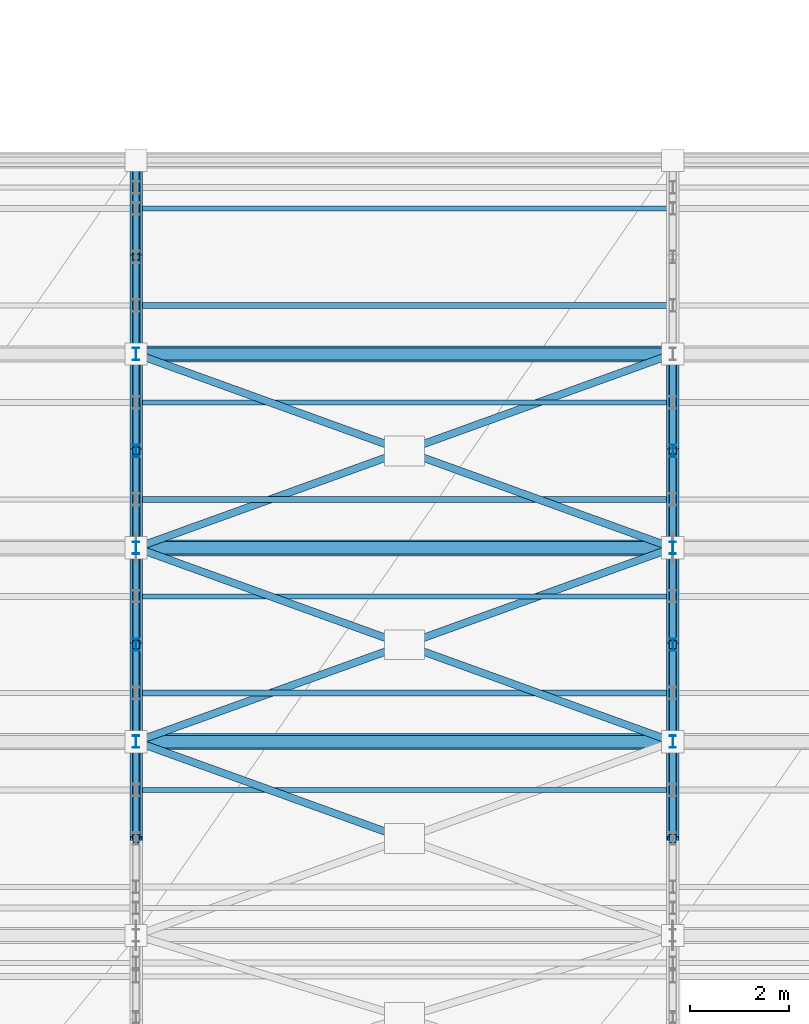
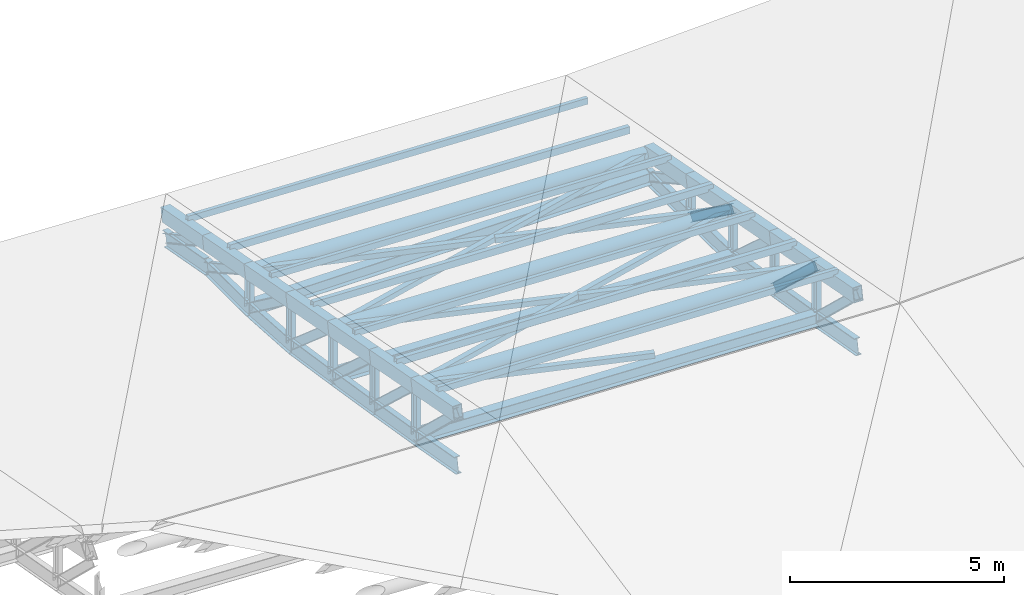
# One storey, part 22 of 89: 41 members, 24 beams.
"""IFC4 building model written with IfcOpenShell, lengths in metres."""

from ifc_helpers import new_model, si_unit, direction, frame, origin, origin_2d, place, context, subcontext, project, spatial, hollow_rectangle, hollow_circle, i_section, extrude, material, material_profile, profile_set, type_object, element, save


model = new_model("IFC4")

# Units and contexts
model_context = context("Model", 3, precision=1e-05, world=origin(), true_north=direction((0.0, 1.0)))
body_context = subcontext(model_context, "Body", "Model", "MODEL_VIEW")
ifc_project = project(units=[si_unit("LENGTHUNIT", "METRE"), si_unit("AREAUNIT", "SQUARE_METRE"), si_unit("VOLUMEUNIT", "CUBIC_METRE"), si_unit("PLANEANGLEUNIT", "RADIAN"), si_unit("MASSUNIT", "GRAM", prefix="KILO")], contexts=[model_context])

# Site, building, storey
site_placement = place(None, origin())
site = spatial("IfcSite", under=ifc_project, at=site_placement, CompositionType="ELEMENT")
building_placement = place(site_placement, origin())
building = spatial("IfcBuilding", under=site, at=building_placement, Name="Suirenkawa Promenade Aquatics Centre", CompositionType="ELEMENT")
storey_placement = place(building_placement, frame((0.0, 0.0, 9.60009765625)))
storey = spatial("IfcBuildingStorey", under=building, at=storey_placement, Name="L02", CompositionType="ELEMENT", Elevation=9.60009765625)

# Beams
ifc_material = material(Name="Steel IS 2062 E350 (Grade 350)", Category="steel")
ifc_material_profile_1 = material_profile(ifc_material, i_section(OverallWidth=0.14990234375, OverallDepth=0.449951171875, WebThickness=0.009033203125, FlangeThickness=0.01708984375, at=origin_2d()), Name="ISMB 450", Category="steel")
ifc_profile_set_1 = profile_set([ifc_material_profile_1], Name="Steel IS 2062 E350 (Grade 350)")
beam_type_1 = type_object("IfcBeamType", Name="BT-STL-ISMB450", PredefinedType="BEAM", material=ifc_profile_set_1)
beam_1_placement = place(storey_placement, frame((100.800048828125, 15.14990234375, -0.3271484375), z_axis=(0.0, 0.984093844307, -0.177649389521), x_axis=(-1.0, 0.0, 0.0)))
element("IfcBeam", 1, at=beam_1_placement, inside=storey, type_object=beam_type_1, Name="ROOF TRUSS V3 bottom chord BM-08 BM-2658", PredefinedType="BEAM", context=body_context, shape_type="SweptSolid", body=[
    extrude(i_section(OverallWidth=0.14990234375, OverallDepth=0.449951171875, WebThickness=0.009033203125, FlangeThickness=0.01708984375, at=origin_2d()), origin(), (0.0, 0.0, 1.0), 1.981689453125),
])
beam_2_placement = place(storey_placement, frame((100.800048828125, 17.10009765625, -0.67919921875), z_axis=(0.0, 0.985994005702, -0.166780756442), x_axis=(-1.0, 0.0, 0.0)))
element("IfcBeam", 2, at=beam_2_placement, inside=storey, type_object=beam_type_1, Name="ROOF TRUSS V3 bottom chord BM-08 BM-2660", PredefinedType="BEAM", context=body_context, shape_type="SweptSolid", body=[
    extrude(i_section(OverallWidth=0.14990234375, OverallDepth=0.449951171875, WebThickness=0.009033203125, FlangeThickness=0.01708984375, at=origin_2d()), origin(), (0.0, 0.0, 1.0), 1.9775390625),
])
beam_3_placement = place(storey_placement, frame((100.800048828125, 19.050048828125, -1.009033203125), z_axis=(0.0, 0.98728433575, -0.158964273917), x_axis=(-1.0, 0.0, 0.0)))
element("IfcBeam", 3, at=beam_3_placement, inside=storey, type_object=beam_type_1, Name="ROOF TRUSS V3 bottom chord BM-08 BM-2662", PredefinedType="BEAM", context=body_context, shape_type="SweptSolid", body=[
    extrude(i_section(OverallWidth=0.14990234375, OverallDepth=0.449951171875, WebThickness=0.009033203125, FlangeThickness=0.01708984375, at=origin_2d()), origin(), (0.0, 0.0, 1.0), 1.97509765625),
])
beam_4_placement = place(storey_placement, frame((100.800048828125, 21.0, -1.322998046875), z_axis=(0.0, 0.988441697341, -0.151601487322), x_axis=(-1.0, 0.0, 0.0)))
element("IfcBeam", 4, at=beam_4_placement, inside=storey, type_object=beam_type_1, Name="ROOF TRUSS V3 bottom chord BM-08 BM-2664", PredefinedType="BEAM", context=body_context, shape_type="SweptSolid", body=[
    extrude(i_section(OverallWidth=0.14990234375, OverallDepth=0.449951171875, WebThickness=0.009033203125, FlangeThickness=0.01708984375, at=origin_2d()), origin(), (0.0, 0.0, 1.0), 1.97265625),
])
beam_5_placement = place(storey_placement, frame((100.800048828125, 22.949951171875, -1.6220703125), z_axis=(0.0, 0.997854808878, -0.065465872024), x_axis=(-1.0, 0.0, 0.0)))
element("IfcBeam", 5, at=beam_5_placement, inside=storey, type_object=beam_type_1, Name="ROOF TRUSS V3 bottom chord BM-08 BM-2666", PredefinedType="BEAM", context=body_context, shape_type="SweptSolid", body=[
    extrude(i_section(OverallWidth=0.14990234375, OverallDepth=0.449951171875, WebThickness=0.009033203125, FlangeThickness=0.01708984375, at=origin_2d()), origin(), (0.0, 0.0, 1.0), 1.9541015625),
])
beam_6_placement = place(storey_placement, frame((100.800048828125, 24.89990234375, -1.75), z_axis=(0.0, 1.0, 0.0), x_axis=(-1.0, 0.0, 0.0)))
element("IfcBeam", 6, at=beam_6_placement, inside=storey, type_object=beam_type_1, Name="ROOF TRUSS V3 bottom chord BM-08 BM-2668", PredefinedType="BEAM", context=body_context, shape_type="SweptSolid", body=[
    extrude(i_section(OverallWidth=0.14990234375, OverallDepth=0.449951171875, WebThickness=0.009033203125, FlangeThickness=0.01708984375, at=origin_2d()), origin(), (0.0, 0.0, 1.0), 1.9501953125),
])
beam_7_placement = place(storey_placement, frame((100.800048828125, 26.85009765625, -1.75), z_axis=(0.0, 0.983371695523, -0.18160426329), x_axis=(-1.0, 0.0, 0.0)))
element("IfcBeam", 7, at=beam_7_placement, inside=storey, type_object=beam_type_1, Name="ROOF TRUSS V3 bottom chord BM-08 BM-2670", PredefinedType="BEAM", context=body_context, shape_type="SweptSolid", body=[
    extrude(i_section(OverallWidth=0.14990234375, OverallDepth=0.449951171875, WebThickness=0.009033203125, FlangeThickness=0.01708984375, at=origin_2d()), origin(), (0.0, 0.0, 1.0), 1.98291015625),
])
beam_8_placement = place(storey_placement, frame((111.60009765625, 15.14990234375, -0.72705078125), z_axis=(0.0, 0.984179886777, -0.177172092787), x_axis=(-1.0, 0.0, 0.0)))
element("IfcBeam", 8, at=beam_8_placement, inside=storey, type_object=beam_type_1, Name="ROOF TRUSS V3 bottom chord BM-08 BM-2690", PredefinedType="BEAM", context=body_context, shape_type="SweptSolid", body=[
    extrude(i_section(OverallWidth=0.14990234375, OverallDepth=0.449951171875, WebThickness=0.009033203125, FlangeThickness=0.01708984375, at=origin_2d()), origin(), (0.0, 0.0, 1.0), 1.9814453125),
])
beam_9_placement = place(storey_placement, frame((111.60009765625, 17.10009765625, -1.078125), z_axis=(0.0, 0.98589233015, -0.167380743669), x_axis=(-1.0, 0.0, 0.0)))
element("IfcBeam", 9, at=beam_9_placement, inside=storey, type_object=beam_type_1, Name="ROOF TRUSS V3 bottom chord BM-08 BM-2692", PredefinedType="BEAM", context=body_context, shape_type="SweptSolid", body=[
    extrude(i_section(OverallWidth=0.14990234375, OverallDepth=0.449951171875, WebThickness=0.009033203125, FlangeThickness=0.01708984375, at=origin_2d()), origin(), (0.0, 0.0, 1.0), 1.977783203125),
])
beam_10_placement = place(storey_placement, frame((111.60009765625, 19.050048828125, -1.4091796875), z_axis=(0.0, 0.98728433575, -0.158964273917), x_axis=(-1.0, 0.0, 0.0)))
element("IfcBeam", 10, at=beam_10_placement, inside=storey, type_object=beam_type_1, Name="ROOF TRUSS V3 bottom chord BM-08 BM-2694", PredefinedType="BEAM", context=body_context, shape_type="SweptSolid", body=[
    extrude(i_section(OverallWidth=0.14990234375, OverallDepth=0.449951171875, WebThickness=0.009033203125, FlangeThickness=0.01708984375, at=origin_2d()), origin(), (0.0, 0.0, 1.0), 1.97509765625),
])
for number, where, z_axis, x_axis, name in (
    (11, (111.60009765625, 21.0, -1.72314453125), (0.0, 0.999905174263, -0.013771074142), (-1.0, 0.0, 0.0), "ROOF TRUSS V3 bottom chord BM-08 BM-2696"),
    (12, (111.60009765625, 22.949951171875, -1.75), (0.0, 0.999935100233, -0.011392775025), (-1.0, 0.0, 0.0), "ROOF TRUSS V3 bottom chord BM-08 BM-2698"),
):
    element("IfcBeam", number, at=place(storey_placement, frame(where, z_axis=z_axis, x_axis=x_axis)), inside=storey, type_object=beam_type_1, Name=name, PredefinedType="BEAM", context=body_context, shape_type="SweptSolid", body=[
        extrude(i_section(OverallWidth=0.14990234375, OverallDepth=0.449951171875, WebThickness=0.009033203125, FlangeThickness=0.01708984375, at=origin_2d()), origin(), (0.0, 0.0, 1.0), 1.9501953125),
    ])
ifc_material_profile_2 = material_profile(ifc_material, hollow_rectangle(XDim=0.25, YDim=0.39990234375, WallThickness=0.01611328125, at=origin_2d()), Name="RHS 400x250x16", Category="steel")
ifc_profile_set_2 = profile_set([ifc_material_profile_2], Name="Steel IS 2062 E350 (Grade 350)")
beam_type_2 = type_object("IfcBeamType", Name="BT-TC-RHS400", PredefinedType="BEAM", material=ifc_profile_set_2)
beam_11_placement = place(storey_placement, frame((100.800048828125, 15.14990234375, 1.1708984375), z_axis=(0.0, 0.982575710299, -0.185862781455), x_axis=(-1.0, 0.0, 0.0)))
element("IfcBeam", 13, at=beam_11_placement, inside=storey, type_object=beam_type_2, Name="ROOF TRUSS V3 top chord TC-03 BM-2657", PredefinedType="BEAM", context=body_context, shape_type="SweptSolid", body=[
    extrude(hollow_rectangle(XDim=0.25, YDim=0.39990234375, WallThickness=0.01611328125, at=origin_2d()), origin(), (0.0, 0.0, 1.0), 1.98486328125),
])
beam_12_placement = place(storey_placement, frame((100.800048828125, 17.10009765625, 0.802001953125), z_axis=(0.0, 0.982638808178, -0.185528899804), x_axis=(-1.0, 0.0, 0.0)))
element("IfcBeam", 14, at=beam_12_placement, inside=storey, type_object=beam_type_2, Name="ROOF TRUSS V3 top chord TC-03 BM-2659", PredefinedType="BEAM", context=body_context, shape_type="SweptSolid", body=[
    extrude(hollow_rectangle(XDim=0.25, YDim=0.39990234375, WallThickness=0.01611328125, at=origin_2d()), origin(), (0.0, 0.0, 1.0), 1.984375),
])
for number, where, z_axis, x_axis, name in (
    (15, (100.800048828125, 19.050048828125, 0.433837890625), (0.0, 0.982571460273, -0.185885248087), (-1.0, 0.0, 0.0), "ROOF TRUSS V3 top chord TC-03 BM-2661"),
    (16, (100.800048828125, 21.0, 0.06494140625), (0.0, 0.98254898431, -0.186004014558), (-1.0, 0.0, 0.0), "ROOF TRUSS V3 top chord TC-03 BM-2663"),
):
    element("IfcBeam", number, at=place(storey_placement, frame(where, z_axis=z_axis, x_axis=x_axis)), inside=storey, type_object=beam_type_2, Name=name, PredefinedType="BEAM", context=body_context, shape_type="SweptSolid", body=[
        extrude(hollow_rectangle(XDim=0.25, YDim=0.39990234375, WallThickness=0.01611328125, at=origin_2d()), origin(), (0.0, 0.0, 1.0), 1.984619140625),
    ])
beam_13_placement = place(storey_placement, frame((100.800048828125, 22.949951171875, -0.30419921875), z_axis=(0.0, 0.982661230808, -0.185410100767), x_axis=(-1.0, 0.0, 0.0)))
element("IfcBeam", 17, at=beam_13_placement, inside=storey, type_object=beam_type_2, Name="ROOF TRUSS V3 top chord TC-03 BM-2665", PredefinedType="BEAM", context=body_context, shape_type="SweptSolid", body=[
    extrude(hollow_rectangle(XDim=0.25, YDim=0.39990234375, WallThickness=0.01611328125, at=origin_2d()), origin(), (0.0, 0.0, 1.0), 1.984375),
])
beam_14_placement = place(storey_placement, frame((100.800048828125, 24.89990234375, -0.672119140625), z_axis=(0.0, 0.982575710299, -0.185862781455), x_axis=(-1.0, 0.0, 0.0)))
element("IfcBeam", 18, at=beam_14_placement, inside=storey, type_object=beam_type_2, Name="ROOF TRUSS V3 top chord TC-03 BM-2667", PredefinedType="BEAM", context=body_context, shape_type="SweptSolid", body=[
    extrude(hollow_rectangle(XDim=0.25, YDim=0.39990234375, WallThickness=0.01611328125, at=origin_2d()), origin(), (0.0, 0.0, 1.0), 1.98486328125),
])
for number, where, z_axis, x_axis, name in (
    (19, (100.800048828125, 26.85009765625, -1.041015625), (0.0, 0.98254898431, -0.186004014558), (-1.0, 0.0, 0.0), "ROOF TRUSS V3 top chord TC-03 BM-2669"),
    (20, (111.60009765625, 15.14990234375, 0.77099609375), (0.0, 0.982643042215, -0.185506473167), (-1.0, 0.0, 0.0), "ROOF TRUSS V3 top chord TC-03 BM-2689"),
    (21, (111.60009765625, 17.10009765625, 0.40283203125), (0.0, 0.982571460273, -0.185885248087), (-1.0, 0.0, 0.0), "ROOF TRUSS V3 top chord TC-03 BM-2691"),
    (22, (111.60009765625, 19.050048828125, 0.033935546875), (0.0, 0.98254898431, -0.186004014558), (-1.0, 0.0, 0.0), "ROOF TRUSS V3 top chord TC-03 BM-2693"),
    (23, (111.60009765625, 21.0, -0.335205078125), (0.0, 0.982571460273, -0.185885248087), (-1.0, 0.0, 0.0), "ROOF TRUSS V3 top chord TC-03 BM-2695"),
):
    element("IfcBeam", number, at=place(storey_placement, frame(where, z_axis=z_axis, x_axis=x_axis)), inside=storey, type_object=beam_type_2, Name=name, PredefinedType="BEAM", context=body_context, shape_type="SweptSolid", body=[
        extrude(hollow_rectangle(XDim=0.25, YDim=0.39990234375, WallThickness=0.01611328125, at=origin_2d()), origin(), (0.0, 0.0, 1.0), 1.984619140625),
    ])
beam_15_placement = place(storey_placement, frame((111.60009765625, 22.949951171875, -0.7041015625), z_axis=(0.0, 0.982661230808, -0.185410100767), x_axis=(-1.0, 0.0, 0.0)))
element("IfcBeam", 24, at=beam_15_placement, inside=storey, type_object=beam_type_2, Name="ROOF TRUSS V3 top chord TC-03 BM-2697", PredefinedType="BEAM", context=body_context, shape_type="SweptSolid", body=[
    extrude(hollow_rectangle(XDim=0.25, YDim=0.39990234375, WallThickness=0.01611328125, at=origin_2d()), origin(), (0.0, 0.0, 1.0), 1.984375),
])

# Members
ifc_material_profile_3 = material_profile(ifc_material, hollow_rectangle(XDim=0.14990234375, YDim=0.14990234375, WallThickness=0.008056640625, at=origin_2d()), Name="SHS 150x150x8", Category="steel")
ifc_profile_set_3 = profile_set([ifc_material_profile_3], Name="Steel IS 2062 E350 (Grade 350)")
member_type_1 = type_object("IfcMemberType", Name="MT-BRACE-SHS150", PredefinedType="BRACE", material=ifc_profile_set_3)
member_1_placement = place(storey_placement, frame((106.1201171875, 15.178955078125, 0.968994140625), z_axis=(-0.940143883967, 0.339497600979, -0.029510275647), x_axis=(-0.339645524425, -0.940553516679, 0.0)))
element("IfcMember", 25, at=member_1_placement, inside=storey, type_object=member_type_1, Name="ROOF TRUSS V3 split plan brace B BF-02 MB-1644", PredefinedType="BRACE", context=body_context, shape_type="SweptSolid", body=[
    extrude(hollow_rectangle(XDim=0.14990234375, YDim=0.14990234375, WallThickness=0.008056640625, at=origin_2d()), origin(), (0.0, 0.0, 1.0), 5.65869140625),
])
member_2_placement = place(storey_placement, frame((100.800048828125, 17.10009765625, 0.802001953125), z_axis=(0.935978086205, 0.337982095283, -0.098555189673), x_axis=(-0.339635581711, 0.940557107057, 0.0)))
element("IfcMember", 26, at=member_2_placement, inside=storey, type_object=member_type_1, Name="ROOF TRUSS V3 continuous plan brace BF-02 MB-1645", PredefinedType="BRACE", context=body_context, shape_type="SweptSolid", body=[
    extrude(hollow_rectangle(XDim=0.14990234375, YDim=0.14990234375, WallThickness=0.008056640625, at=origin_2d()), origin(), (0.0, 0.0, 1.0), 11.538818359375),
])
for number, where, z_axis, x_axis, name in (
    (27, (111.60009765625, 17.10009765625, 0.40283203125), (-0.940157653847, 0.339459429143, -0.029510707872), (-0.339607340293, -0.940567304566, 0.0), "ROOF TRUSS V3 split plan brace A BF-02 MB-1646"),
    (28, (106.1201171875, 19.0791015625, 0.23095703125), (-0.94016242799, 0.339461152927, -0.029338279612), (-0.339607340293, -0.940567304566, 0.0), "ROOF TRUSS V3 split plan brace B BF-02 MB-1647"),
):
    element("IfcMember", number, at=place(storey_placement, frame(where, z_axis=z_axis, x_axis=x_axis)), inside=storey, type_object=member_type_1, Name=name, PredefinedType="BRACE", context=body_context, shape_type="SweptSolid", body=[
        extrude(hollow_rectangle(XDim=0.14990234375, YDim=0.14990234375, WallThickness=0.008056640625, at=origin_2d()), origin(), (0.0, 0.0, 1.0), 5.65869140625),
    ])
member_3_placement = place(storey_placement, frame((100.800048828125, 21.0, 0.06494140625), z_axis=(0.935980037756, 0.337982799989, -0.098534236857), x_axis=(-0.339635581711, 0.940557107057, 0.0)))
element("IfcMember", 29, at=member_3_placement, inside=storey, type_object=member_type_1, Name="ROOF TRUSS V3 continuous plan brace BF-02 MB-1648", PredefinedType="BRACE", context=body_context, shape_type="SweptSolid", body=[
    extrude(hollow_rectangle(XDim=0.14990234375, YDim=0.14990234375, WallThickness=0.008056640625, at=origin_2d()), origin(), (0.0, 0.0, 1.0), 11.538818359375),
])
for number, where, z_axis, x_axis, name in (
    (30, (111.60009765625, 21.0, -0.335205078125), (-0.940163617161, 0.339461582297, -0.029295172138), (-0.339607340293, -0.940567304566, 0.0), "ROOF TRUSS V3 split plan brace A BF-02 MB-1649"),
    (31, (106.1201171875, 22.97900390625, -0.506103515625), (-0.94016242799, 0.339461152927, -0.029338279612), (-0.339607340293, -0.940567304566, 0.0), "ROOF TRUSS V3 split plan brace B BF-02 MB-1650"),
):
    element("IfcMember", number, at=place(storey_placement, frame(where, z_axis=z_axis, x_axis=x_axis)), inside=storey, type_object=member_type_1, Name=name, PredefinedType="BRACE", context=body_context, shape_type="SweptSolid", body=[
        extrude(hollow_rectangle(XDim=0.14990234375, YDim=0.14990234375, WallThickness=0.008056640625, at=origin_2d()), origin(), (0.0, 0.0, 1.0), 5.65869140625),
    ])
ifc_material_profile_4 = material_profile(ifc_material, hollow_circle(Radius=0.162109375, WallThickness=0.013916015625, at=origin_2d()), Name="CHS 324x14", Category="steel")
ifc_profile_set_4 = profile_set([ifc_material_profile_4], Name="Steel IS 2062 E350 (Grade 350)")
member_type_2 = type_object("IfcMemberType", Name="MT-CHORD-CHS324", PredefinedType="CHORD", material=ifc_profile_set_4)
for number, where, z_axis, x_axis, name in (
    (32, (100.800048828125, 17.10009765625, 0.802001953125), (0.99931767778, 0.0, -0.036934792214), (0.0, 1.0, 0.0), "ROOF TRUSS V3 tie chord CH-01 MB-1595"),
    (33, (100.800048828125, 21.0, 0.06494140625), (0.999314338554, 0.0, -0.037025028842), (0.0, 1.0, 0.0), "ROOF TRUSS V3 tie chord CH-01 MB-1609"),
    (34, (100.800048828125, 24.89990234375, -0.672119140625), (0.999315174122, 0.0, -0.03700246977), (0.0, 1.0, 0.0), "ROOF TRUSS V3 tie chord CH-01 MB-1623"),
):
    element("IfcMember", number, at=place(storey_placement, frame(where, z_axis=z_axis, x_axis=x_axis)), inside=storey, type_object=member_type_2, Name=name, PredefinedType="CHORD", context=body_context, shape_type="SweptSolid", body=[
        extrude(hollow_circle(Radius=0.162109375, WallThickness=0.013916015625, at=origin_2d()), origin(), (0.0, 0.0, 1.0), 10.807373046875),
    ])
ifc_material_profile_5 = material_profile(ifc_material, i_section(OverallWidth=0.25, OverallDepth=0.35009765625, WebThickness=0.010009765625, FlangeThickness=0.011962890625, at=origin_2d()), Name="ISHB 350", Category="steel")
ifc_profile_set_5 = profile_set([ifc_material_profile_5], Name="Steel IS 2062 E350 (Grade 350)")
member_type_3 = type_object("IfcMemberType", Name="MT-CHORD-ISHB350", PredefinedType="CHORD", material=ifc_profile_set_5)
for number, where, z_axis, x_axis, name in (
    (35, (100.800048828125, 17.10009765625, -0.67919921875), (0.999318511317, 0.0, -0.036912232916), (0.0, 1.0, 0.0), "ROOF TRUSS V3 bottom tie CH-04 MB-1596"),
    (36, (100.800048828125, 21.0, -1.322998046875), (0.999314338554, 0.0, -0.037025028842), (0.0, 1.0, 0.0), "ROOF TRUSS V3 bottom tie CH-04 MB-1610"),
):
    element("IfcMember", number, at=place(storey_placement, frame(where, z_axis=z_axis, x_axis=x_axis)), inside=storey, type_object=member_type_3, Name=name, PredefinedType="CHORD", context=body_context, shape_type="SweptSolid", body=[
        extrude(i_section(OverallWidth=0.25, OverallDepth=0.35009765625, WebThickness=0.010009765625, FlangeThickness=0.011962890625, at=origin_2d()), origin(), (0.0, 0.0, 1.0), 10.807373046875),
    ])
member_4_placement = place(storey_placement, frame((100.800048828125, 24.89990234375, -1.75), z_axis=(0.999997884173, 0.0, -0.002057097169), x_axis=(0.0, 1.0, 0.0)))
element("IfcMember", 37, at=member_4_placement, inside=storey, type_object=member_type_3, Name="ROOF TRUSS V3 bottom tie CH-04 MB-1624", PredefinedType="CHORD", context=body_context, shape_type="SweptSolid", body=[
    extrude(i_section(OverallWidth=0.25, OverallDepth=0.35009765625, WebThickness=0.010009765625, FlangeThickness=0.011962890625, at=origin_2d()), origin(), (0.0, 0.0, 1.0), 10.800048828125),
])
ifc_material_profile_6 = material_profile(ifc_material, hollow_rectangle(XDim=0.10009765625, YDim=0.179931640625, WallThickness=0.008056640625, at=origin_2d()), Name="RHS 180x100x8", Category="steel")
ifc_profile_set_6 = profile_set([ifc_material_profile_6], Name="Steel IS 2062 E350 (Grade 350)")
member_type_4 = type_object("IfcMemberType", Name="MT-PURLIN-RHS180", PredefinedType="PURLIN", material=ifc_profile_set_6)
for number, where, z_axis, x_axis, name in (
    (38, (100.800048828125, 16.125, 1.239990234375), (0.999314338554, 0.0, -0.037025028842), (0.0, 1.0, 0.0), "ROOF TRUSS Roof purlin PU-01 MB-2729"),
    (39, (100.800048828125, 20.02490234375, 0.501953125), (0.999314338554, 0.0, -0.037025028842), (0.0, 1.0, 0.0), "ROOF TRUSS Roof purlin PU-01 MB-2733"),
    (40, (100.800048828125, 23.925048828125, -0.235107421875), (0.999315174122, 0.0, -0.03700246977), (0.0, 1.0, 0.0), "ROOF TRUSS Roof purlin PU-01 MB-2737"),
    (41, (100.800048828125, 27.824951171875, -0.97314453125), (0.999315174122, 0.0, -0.03700246977), (0.0, 1.0, 0.0), "ROOF TRUSS Roof purlin PU-01 MB-2741"),
):
    element("IfcMember", number, at=place(storey_placement, frame(where, z_axis=z_axis, x_axis=x_axis)), inside=storey, type_object=member_type_4, Name=name, PredefinedType="PURLIN", context=body_context, shape_type="SweptSolid", body=[
        extrude(hollow_rectangle(XDim=0.10009765625, YDim=0.179931640625, WallThickness=0.008056640625, at=origin_2d()), origin(), (0.0, 0.0, 1.0), 10.807373046875),
    ])
ifc_material_profile_7 = material_profile(ifc_material, hollow_rectangle(XDim=0.1201171875, YDim=0.199951171875, WallThickness=0.008056640625, at=origin_2d()), Name="RHS 200x120x8", Category="steel")
ifc_profile_set_7 = profile_set([ifc_material_profile_7], Name="Steel IS 2062 E350 (Grade 350)")
member_type_5 = type_object("IfcMemberType", Name="MT-PURLIN-RHS200", PredefinedType="PURLIN", material=ifc_profile_set_7)
for number, where, z_axis, x_axis, name in (
    (42, (100.800048828125, 18.074951171875, 0.85888671875), (0.999315174122, 0.0, -0.03700246977), (0.0, 1.0, 0.0), "ROOF TRUSS Roof purlin PU-02 MB-2731"),
    (43, (100.800048828125, 21.97509765625, 0.121826171875), (0.999315174122, 0.0, -0.03700246977), (0.0, 1.0, 0.0), "ROOF TRUSS Roof purlin PU-02 MB-2735"),
    (44, (100.800048828125, 25.875, -0.6162109375), (0.999315174122, 0.0, -0.03700246977), (0.0, 1.0, 0.0), "ROOF TRUSS Roof purlin PU-02 MB-2739"),
):
    element("IfcMember", number, at=place(storey_placement, frame(where, z_axis=z_axis, x_axis=x_axis)), inside=storey, type_object=member_type_5, Name=name, PredefinedType="PURLIN", context=body_context, shape_type="SweptSolid", body=[
        extrude(hollow_rectangle(XDim=0.1201171875, YDim=0.199951171875, WallThickness=0.008056640625, at=origin_2d()), origin(), (0.0, 0.0, 1.0), 10.807373046875),
    ])
ifc_material_profile_8 = material_profile(ifc_material, i_section(OverallWidth=0.125, OverallDepth=0.25, WebThickness=0.007080078125, FlangeThickness=0.012939453125, at=origin_2d()), Name="ISMB 250", Category="steel")
ifc_profile_set_8 = profile_set([ifc_material_profile_8], Name="Steel IS 2062 E350 (Grade 350)")
member_type_6 = type_object("IfcMemberType", Name="MT-WEB-CHS168", PredefinedType="BRACE", material=ifc_profile_set_8)
member_5_placement = place(storey_placement, frame((100.800048828125, 15.14990234375, 1.1708984375), z_axis=(0.0, 0.72547997699, -0.688243273114), x_axis=(-1.0, 0.0, 0.0)))
element("IfcMember", 45, at=member_5_placement, inside=storey, type_object=member_type_6, Name="ROOF TRUSS V3 web diagonal TD-03 MB-1347", PredefinedType="BRACE", context=body_context, shape_type="SweptSolid", body=[
    extrude(i_section(OverallWidth=0.125, OverallDepth=0.25, WebThickness=0.007080078125, FlangeThickness=0.012939453125, at=origin_2d()), origin(), (0.0, 0.0, 1.0), 2.688232421875),
])
member_6_placement = place(storey_placement, frame((100.800048828125, 17.10009765625, 0.802001953125), z_axis=(0.0, 0.732724871642, -0.68052499034), x_axis=(-1.0, 0.0, 0.0)))
element("IfcMember", 46, at=member_6_placement, inside=storey, type_object=member_type_6, Name="ROOF TRUSS V3 web diagonal TD-03 MB-1348", PredefinedType="BRACE", context=body_context, shape_type="SweptSolid", body=[
    extrude(i_section(OverallWidth=0.125, OverallDepth=0.25, WebThickness=0.007080078125, FlangeThickness=0.012939453125, at=origin_2d()), origin(), (0.0, 0.0, 1.0), 2.6611328125),
])
member_7_placement = place(storey_placement, frame((100.800048828125, 19.050048828125, 0.433837890625), z_axis=(0.0, 0.74293789867, -0.669360350424), x_axis=(-1.0, 0.0, 0.0)))
element("IfcMember", 47, at=member_7_placement, inside=storey, type_object=member_type_6, Name="ROOF TRUSS V3 web diagonal TD-03 MB-1349", PredefinedType="BRACE", context=body_context, shape_type="SweptSolid", body=[
    extrude(i_section(OverallWidth=0.125, OverallDepth=0.25, WebThickness=0.007080078125, FlangeThickness=0.012939453125, at=origin_2d()), origin(), (0.0, 0.0, 1.0), 2.624755859375),
])
member_8_placement = place(storey_placement, frame((100.800048828125, 21.0, 0.06494140625), z_axis=(0.0, 0.756254271499, -0.654277828479), x_axis=(-1.0, 0.0, 0.0)))
element("IfcMember", 48, at=member_8_placement, inside=storey, type_object=member_type_6, Name="ROOF TRUSS V3 web diagonal TD-03 MB-1350", PredefinedType="BRACE", context=body_context, shape_type="SweptSolid", body=[
    extrude(i_section(OverallWidth=0.125, OverallDepth=0.25, WebThickness=0.007080078125, FlangeThickness=0.012939453125, at=origin_2d()), origin(), (0.0, 0.0, 1.0), 2.578369140625),
])
member_9_placement = place(storey_placement, frame((100.800048828125, 22.949951171875, -0.30419921875), z_axis=(0.0, 0.80328273488, -0.595597891068), x_axis=(-1.0, 0.0, 0.0)))
element("IfcMember", 49, at=member_9_placement, inside=storey, type_object=member_type_6, Name="ROOF TRUSS V3 web diagonal TD-03 MB-1351", PredefinedType="BRACE", context=body_context, shape_type="SweptSolid", body=[
    extrude(i_section(OverallWidth=0.125, OverallDepth=0.25, WebThickness=0.007080078125, FlangeThickness=0.012939453125, at=origin_2d()), origin(), (0.0, 0.0, 1.0), 2.427490234375),
])
member_10_placement = place(storey_placement, frame((100.800048828125, 24.89990234375, -0.672119140625), z_axis=(0.0, 0.875214680203, -0.483734703693), x_axis=(-1.0, 0.0, 0.0)))
element("IfcMember", 50, at=member_10_placement, inside=storey, type_object=member_type_6, Name="ROOF TRUSS V3 web diagonal TD-03 MB-1352", PredefinedType="BRACE", context=body_context, shape_type="SweptSolid", body=[
    extrude(i_section(OverallWidth=0.125, OverallDepth=0.25, WebThickness=0.007080078125, FlangeThickness=0.012939453125, at=origin_2d()), origin(), (0.0, 0.0, 1.0), 2.228271484375),
])
member_11_placement = place(storey_placement, frame((100.800048828125, 26.85009765625, -1.041015625), z_axis=(0.0, 0.876857197372, -0.48075092867), x_axis=(-1.0, 0.0, 0.0)))
element("IfcMember", 51, at=member_11_placement, inside=storey, type_object=member_type_6, Name="ROOF TRUSS V3 web diagonal TD-03 MB-1353", PredefinedType="BRACE", context=body_context, shape_type="SweptSolid", body=[
    extrude(i_section(OverallWidth=0.125, OverallDepth=0.25, WebThickness=0.007080078125, FlangeThickness=0.012939453125, at=origin_2d()), origin(), (0.0, 0.0, 1.0), 2.223876953125),
])
member_12_placement = place(storey_placement, frame((100.800048828125, 17.10009765625, -0.67919921875), z_axis=(0.0, 0.0, 1.0), x_axis=(1.0, 0.0, 0.0)))
element("IfcMember", 52, at=member_12_placement, inside=storey, type_object=member_type_6, Name="ROOF TRUSS V3 web post TD-03 MB-1363", PredefinedType="BRACE", context=body_context, shape_type="SweptSolid", body=[
    extrude(i_section(OverallWidth=0.125, OverallDepth=0.25, WebThickness=0.007080078125, FlangeThickness=0.012939453125, at=origin_2d()), origin(), (0.0, 0.0, 1.0), 1.481201171875),
])
member_13_placement = place(storey_placement, frame((100.800048828125, 19.050048828125, -1.009033203125), z_axis=(0.0, 0.0, 1.0), x_axis=(1.0, 0.0, 0.0)))
element("IfcMember", 53, at=member_13_placement, inside=storey, type_object=member_type_6, Name="ROOF TRUSS V3 web post TD-03 MB-1364", PredefinedType="BRACE", context=body_context, shape_type="SweptSolid", body=[
    extrude(i_section(OverallWidth=0.125, OverallDepth=0.25, WebThickness=0.007080078125, FlangeThickness=0.012939453125, at=origin_2d()), origin(), (0.0, 0.0, 1.0), 1.44287109375),
])
member_14_placement = place(storey_placement, frame((100.800048828125, 21.0, -1.322998046875), z_axis=(0.0, 0.0, 1.0), x_axis=(1.0, 0.0, 0.0)))
element("IfcMember", 54, at=member_14_placement, inside=storey, type_object=member_type_6, Name="ROOF TRUSS V3 web post TD-03 MB-1365", PredefinedType="BRACE", context=body_context, shape_type="SweptSolid", body=[
    extrude(i_section(OverallWidth=0.125, OverallDepth=0.25, WebThickness=0.007080078125, FlangeThickness=0.012939453125, at=origin_2d()), origin(), (0.0, 0.0, 1.0), 1.387939453125),
])
member_15_placement = place(storey_placement, frame((100.800048828125, 22.949951171875, -1.6220703125), z_axis=(0.0, 0.0, 1.0), x_axis=(1.0, 0.0, 0.0)))
element("IfcMember", 55, at=member_15_placement, inside=storey, type_object=member_type_6, Name="ROOF TRUSS V3 web post TD-03 MB-1366", PredefinedType="BRACE", context=body_context, shape_type="SweptSolid", body=[
    extrude(i_section(OverallWidth=0.125, OverallDepth=0.25, WebThickness=0.007080078125, FlangeThickness=0.012939453125, at=origin_2d()), origin(), (0.0, 0.0, 1.0), 1.31787109375),
])
member_16_placement = place(storey_placement, frame((100.800048828125, 24.89990234375, -1.75), z_axis=(0.0, 0.0, 1.0), x_axis=(1.0, 0.0, 0.0)))
element("IfcMember", 56, at=member_16_placement, inside=storey, type_object=member_type_6, Name="ROOF TRUSS V3 web post TD-03 MB-1367", PredefinedType="BRACE", context=body_context, shape_type="SweptSolid", body=[
    extrude(i_section(OverallWidth=0.125, OverallDepth=0.25, WebThickness=0.007080078125, FlangeThickness=0.012939453125, at=origin_2d()), origin(), (0.0, 0.0, 1.0), 1.077880859375),
])
member_17_placement = place(storey_placement, frame((111.60009765625, 15.14990234375, 0.77099609375), z_axis=(0.0, 0.725661387737, -0.688051996835), x_axis=(-1.0, 0.0, 0.0)))
element("IfcMember", 57, at=member_17_placement, inside=storey, type_object=member_type_6, Name="ROOF TRUSS V3 web diagonal TD-03 MB-1378", PredefinedType="BRACE", context=body_context, shape_type="SweptSolid", body=[
    extrude(i_section(OverallWidth=0.125, OverallDepth=0.25, WebThickness=0.007080078125, FlangeThickness=0.012939453125, at=origin_2d()), origin(), (0.0, 0.0, 1.0), 2.6875),
])
member_18_placement = place(storey_placement, frame((111.60009765625, 17.10009765625, 0.40283203125), z_axis=(0.0, 0.732541911436, -0.680721931474), x_axis=(-1.0, 0.0, 0.0)))
element("IfcMember", 58, at=member_18_placement, inside=storey, type_object=member_type_6, Name="ROOF TRUSS V3 web diagonal TD-03 MB-1379", PredefinedType="BRACE", context=body_context, shape_type="SweptSolid", body=[
    extrude(i_section(OverallWidth=0.125, OverallDepth=0.25, WebThickness=0.007080078125, FlangeThickness=0.012939453125, at=origin_2d()), origin(), (0.0, 0.0, 1.0), 2.661865234375),
])
member_19_placement = place(storey_placement, frame((111.60009765625, 19.050048828125, 0.033935546875), z_axis=(0.0, 0.742891642365, -0.669411687756), x_axis=(-1.0, 0.0, 0.0)))
element("IfcMember", 59, at=member_19_placement, inside=storey, type_object=member_type_6, Name="ROOF TRUSS V3 web diagonal TD-03 MB-1380", PredefinedType="BRACE", context=body_context, shape_type="SweptSolid", body=[
    extrude(i_section(OverallWidth=0.125, OverallDepth=0.25, WebThickness=0.007080078125, FlangeThickness=0.012939453125, at=origin_2d()), origin(), (0.0, 0.0, 1.0), 2.624755859375),
])
member_20_placement = place(storey_placement, frame((111.60009765625, 21.0, -0.335205078125), z_axis=(0.0, 0.809397290972, -0.587261462525), x_axis=(-1.0, 0.0, 0.0)))
element("IfcMember", 60, at=member_20_placement, inside=storey, type_object=member_type_6, Name="ROOF TRUSS V3 web diagonal TD-03 MB-1381", PredefinedType="BRACE", context=body_context, shape_type="SweptSolid", body=[
    extrude(i_section(OverallWidth=0.125, OverallDepth=0.25, WebThickness=0.007080078125, FlangeThickness=0.012939453125, at=origin_2d()), origin(), (0.0, 0.0, 1.0), 2.4091796875),
])
member_21_placement = place(storey_placement, frame((111.60009765625, 22.949951171875, -0.7041015625), z_axis=(0.0, 0.877042291771, -0.480413174721), x_axis=(-1.0, 0.0, 0.0)))
element("IfcMember", 61, at=member_21_placement, inside=storey, type_object=member_type_6, Name="ROOF TRUSS V3 web diagonal TD-03 MB-1382", PredefinedType="BRACE", context=body_context, shape_type="SweptSolid", body=[
    extrude(i_section(OverallWidth=0.125, OverallDepth=0.25, WebThickness=0.007080078125, FlangeThickness=0.012939453125, at=origin_2d()), origin(), (0.0, 0.0, 1.0), 2.223388671875),
])
member_22_placement = place(storey_placement, frame((111.60009765625, 17.10009765625, -1.078125), z_axis=(0.0, 0.0, 1.0), x_axis=(1.0, 0.0, 0.0)))
element("IfcMember", 62, at=member_22_placement, inside=storey, type_object=member_type_6, Name="ROOF TRUSS V3 web post TD-03 MB-1394", PredefinedType="BRACE", context=body_context, shape_type="SweptSolid", body=[
    extrude(i_section(OverallWidth=0.125, OverallDepth=0.25, WebThickness=0.007080078125, FlangeThickness=0.012939453125, at=origin_2d()), origin(), (0.0, 0.0, 1.0), 1.48095703125),
])
member_23_placement = place(storey_placement, frame((111.60009765625, 19.050048828125, -1.4091796875), z_axis=(0.0, 0.0, 1.0), x_axis=(1.0, 0.0, 0.0)))
element("IfcMember", 63, at=member_23_placement, inside=storey, type_object=member_type_6, Name="ROOF TRUSS V3 web post TD-03 MB-1395", PredefinedType="BRACE", context=body_context, shape_type="SweptSolid", body=[
    extrude(i_section(OverallWidth=0.125, OverallDepth=0.25, WebThickness=0.007080078125, FlangeThickness=0.012939453125, at=origin_2d()), origin(), (0.0, 0.0, 1.0), 1.443115234375),
])
member_24_placement = place(storey_placement, frame((111.60009765625, 21.0, -1.72314453125), z_axis=(0.0, 0.0, 1.0), x_axis=(1.0, 0.0, 0.0)))
element("IfcMember", 64, at=member_24_placement, inside=storey, type_object=member_type_6, Name="ROOF TRUSS V3 web post TD-03 MB-1396", PredefinedType="BRACE", context=body_context, shape_type="SweptSolid", body=[
    extrude(i_section(OverallWidth=0.125, OverallDepth=0.25, WebThickness=0.007080078125, FlangeThickness=0.012939453125, at=origin_2d()), origin(), (0.0, 0.0, 1.0), 1.387939453125),
])
member_25_placement = place(storey_placement, frame((111.60009765625, 22.949951171875, -1.75), z_axis=(0.0, 0.0, 1.0), x_axis=(1.0, 0.0, 0.0)))
element("IfcMember", 65, at=member_25_placement, inside=storey, type_object=member_type_6, Name="ROOF TRUSS V3 web post TD-03 MB-1397", PredefinedType="BRACE", context=body_context, shape_type="SweptSolid", body=[
    extrude(i_section(OverallWidth=0.125, OverallDepth=0.25, WebThickness=0.007080078125, FlangeThickness=0.012939453125, at=origin_2d()), origin(), (0.0, 0.0, 1.0), 1.0458984375),
])

save(model, "model.ifc")
